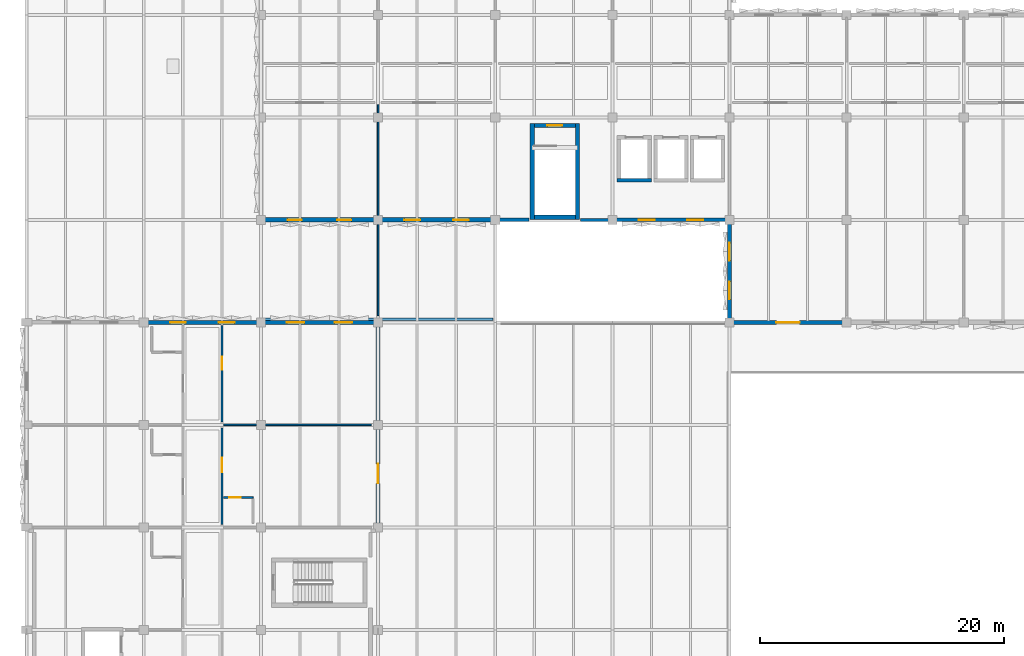
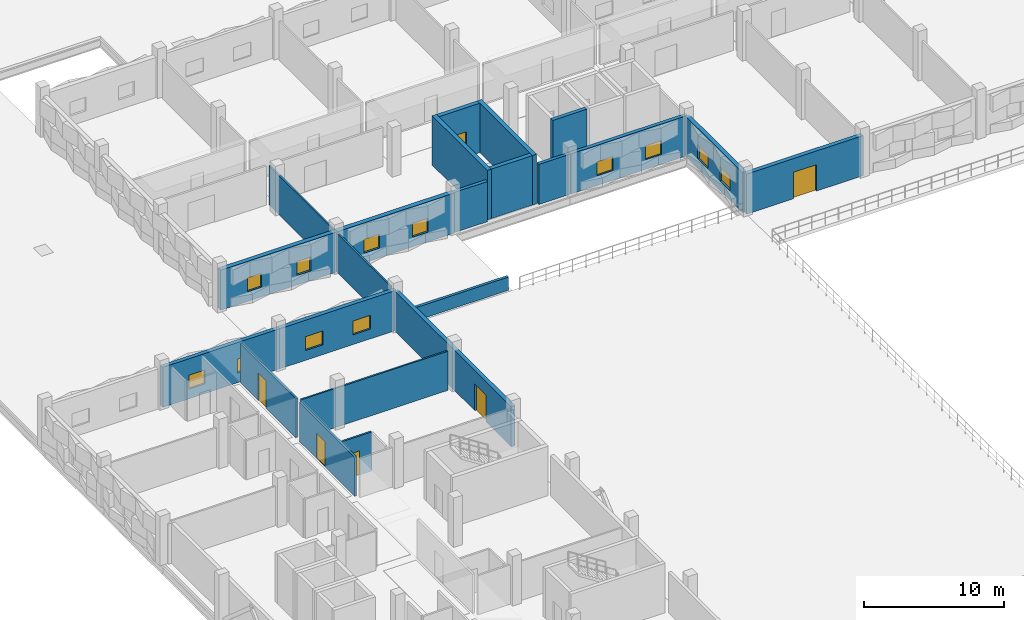
# One storey, part 56 of 86: 21 walls, 12 windows, 6 doors, 18 openings.
"""IFC4 building model written with IfcOpenShell, lengths in metres."""

from ifc_helpers import new_model, si_unit, direction, frame, frame_2d, origin, place, context, subcontext, project, spatial, rectangle, extrude, material, layer, layer_set, type_object, element, fill, save


model = new_model("IFC4")

# Units and contexts
model_context = context("Model", 3, precision=1e-05, world=origin(), true_north=direction((0.0, 1.0)))
body_context = subcontext(model_context, "Body", "Model", "MODEL_VIEW")
ifc_project = project(units=[si_unit("LENGTHUNIT", "METRE"), si_unit("AREAUNIT", "SQUARE_METRE"), si_unit("VOLUMEUNIT", "CUBIC_METRE"), si_unit("PLANEANGLEUNIT", "RADIAN"), si_unit("MASSUNIT", "GRAM", prefix="KILO")], contexts=[model_context])

# Site, building, storey
site_placement = place(None, origin())
site = spatial("IfcSite", under=ifc_project, at=site_placement, CompositionType="ELEMENT")
building_placement = place(site_placement, origin())
building = spatial("IfcBuilding", under=site, at=building_placement, Name="Oolite Switchyard Hospital", CompositionType="ELEMENT")
storey_placement = place(building_placement, frame((0.0, 0.0, 13.5)))
storey = spatial("IfcBuildingStorey", under=building, at=storey_placement, Name="L03", CompositionType="ELEMENT", Elevation=13.5)

# Walls
ifc_material_1 = material(Name="Precast oolitic limestone architectural concrete C40/50", Category="masonry")
ifc_layer_1 = layer(ifc_material_1, 0.260009765625)
ifc_layer_set_1 = layer_set([ifc_layer_1], Name="WAL-EXT-260")
wall_type_1 = type_object("IfcWallType", Name="WAL-EXT-260", PredefinedType="SOLIDWALL", material=ifc_layer_set_1)
wall_1_placement = place(storey_placement, frame((48.0, 92.39990234375, 0.0), z_axis=(0.0, 0.0, 1.0), x_axis=(-1.0, 0.0, 0.0)))
element("IfcWall", 1, at=wall_1_placement, inside=storey, type_object=wall_type_1, Name="L03 Exterior Spandrel Wall 193", PredefinedType="SOLIDWALL", context=body_context, shape_type="SweptSolid", body=[
    extrude(rectangle(XDim=2.614990234375, YDim=0.260009765625, at=frame_2d((1.3076171875, 0.0))), origin(), (0.0, 0.0, 1.0), 3.489990234375),
])
ifc_layer_2 = layer(ifc_material_1, 0.280029296875)
ifc_layer_set_2 = layer_set([ifc_layer_2], Name="WAL-EXT-280")
wall_type_2 = type_object("IfcWallType", Name="WAL-EXT-280", PredefinedType="SOLIDWALL", material=ifc_layer_set_2)
wall_2_placement = place(storey_placement, frame((41.175048828125, 92.39990234375, 0.0), z_axis=(0.0, 0.0, 1.0), x_axis=(-1.0, 0.0, 0.0)))
element("IfcWall", 2, at=wall_2_placement, inside=storey, type_object=wall_type_2, Name="L03 Exterior Spandrel Wall 194", PredefinedType="SOLIDWALL", context=body_context, shape_type="SweptSolid", body=[
    extrude(rectangle(XDim=2.775146484375, YDim=0.280029296875, at=frame_2d((1.3876953125, 0.0))), origin(), (0.0, 0.0, 1.0), 3.489990234375),
])

# Wall, openings, windows
ifc_layer_3 = layer(ifc_material_1, 0.300048828125)
ifc_layer_set_3 = layer_set([ifc_layer_3], Name="WAL-EXT-300")
wall_type_3 = type_object("IfcWallType", Name="WAL-EXT-300", PredefinedType="SOLIDWALL", material=ifc_layer_set_3)
wall_3_placement = place(storey_placement, frame((57.60009765625, 92.39990234375, 0.0), z_axis=(0.0, 0.0, 1.0), x_axis=(-1.0, 0.0, 0.0)))
wall_3 = element("IfcWall", 3, at=wall_3_placement, inside=storey, type_object=wall_type_3, Name="L03 Exterior Spandrel Wall 195", PredefinedType="SOLIDWALL", context=body_context, shape_type="SweptSolid", body=[
    extrude(rectangle(XDim=9.60009765625, YDim=0.300048828125, at=frame_2d((4.800048828125, 0.0))), origin(), (0.0, 0.0, 1.0), 3.489990234375),
])
opening_1_placement = place(wall_3_placement, frame((2.157958984375, 0.0, 0.85009765625)))
opening_1 = element("IfcOpeningElement", 4, at=opening_1_placement, cuts=wall_3, Name="Opening WN-0091", PredefinedType="OPENING", context=body_context, shape_type="SweptSolid", body=[
    extrude(rectangle(XDim=1.300048828125, YDim=1.199951171875, at=frame_2d((0.64990234375, 0.60009765625))), frame((0.0, 0.16015625, 0.0), z_axis=(0.0, -1.0, 0.0), x_axis=(1.0, 0.0, 0.0)), (0.0, 0.0, 1.0), 0.320068359375),
])
opening_2_placement = place(wall_3_placement, frame((6.14208984375, 0.0, 0.85009765625)))
opening_2 = element("IfcOpeningElement", 5, at=opening_2_placement, cuts=wall_3, Name="Opening WN-0092", PredefinedType="OPENING", context=body_context, shape_type="SweptSolid", body=[
    extrude(rectangle(XDim=1.300048828125, YDim=1.199951171875, at=frame_2d((0.64990234375, 0.60009765625))), frame((0.0, 0.16015625, 0.0), z_axis=(0.0, -1.0, 0.0), x_axis=(1.0, 0.0, 0.0)), (0.0, 0.0, 1.0), 0.320068359375),
])
ifc_material_2 = material(Name="Thermally broken aluminum frame with laminated impact glazing", Category="aluminium")
window_type_1 = type_object("IfcWindowType", Name="WIN-IMP-130X120", PartitioningType="SINGLE_PANEL", PredefinedType="WINDOW", material=ifc_material_2)
window_1_placement = place(opening_1_placement, origin())
window_1 = element("IfcWindow", 6, at=window_1_placement, inside=storey, type_object=window_type_1, Name="L03 Hurricane Impact Window WN-0091", OverallHeight=1.199951171875, OverallWidth=1.300048828125, PartitioningType="SINGLE_PANEL", PredefinedType="WINDOW", context=body_context, shape_type="SweptSolid", body=[
    extrude(rectangle(XDim=1.300048828125, YDim=1.199951171875, at=frame_2d((0.64990234375, 0.60009765625))), frame((0.0, 0.030029296875, 0.0), z_axis=(0.0, -1.0, 0.0), x_axis=(1.0, 0.0, 0.0)), (0.0, 0.0, 1.0), 0.06005859375),
])
fill(opening_1, window_1)
window_2_placement = place(opening_2_placement, origin())
window_2 = element("IfcWindow", 7, at=window_2_placement, inside=storey, type_object=window_type_1, Name="L03 Hurricane Impact Window WN-0092", OverallHeight=1.199951171875, OverallWidth=1.300048828125, PartitioningType="SINGLE_PANEL", PredefinedType="WINDOW", context=body_context, shape_type="SweptSolid", body=[
    extrude(rectangle(XDim=1.300048828125, YDim=1.199951171875, at=frame_2d((0.64990234375, 0.60009765625))), frame((0.0, 0.030029296875, 0.0), z_axis=(0.0, -1.0, 0.0), x_axis=(1.0, 0.0, 0.0)), (0.0, 0.0, 1.0), 0.06005859375),
])
fill(opening_2, window_2)

ifc_layer_4 = layer(ifc_material_1, 0.320068359375)
ifc_layer_set_4 = layer_set([ifc_layer_4], Name="WAL-EXT-320")
wall_type_4 = type_object("IfcWallType", Name="WAL-EXT-320", PredefinedType="SOLIDWALL", material=ifc_layer_set_4)
wall_4_placement = place(storey_placement, frame((9.60009765625, 84.0, 0.0), z_axis=(0.0, 0.0, 1.0), x_axis=(1.0, 0.0, 0.0)))
wall_4 = element("IfcWall", 8, at=wall_4_placement, inside=storey, type_object=wall_type_4, Name="L03 Exterior Spandrel Wall 189", PredefinedType="SOLIDWALL", context=body_context, shape_type="SweptSolid", body=[
    extrude(rectangle(XDim=9.599853515625, YDim=0.320068359375, at=frame_2d((4.7998046875, 0.0))), origin(), (0.0, 0.0, 1.0), 3.489990234375),
])
opening_3_placement = place(wall_4_placement, frame((2.157958984375, 0.0, 0.85009765625)))
opening_3 = element("IfcOpeningElement", 9, at=opening_3_placement, cuts=wall_4, Name="Opening WN-0083", PredefinedType="OPENING", context=body_context, shape_type="SweptSolid", body=[
    extrude(rectangle(XDim=1.300048828125, YDim=1.199951171875, at=frame_2d((0.64990234375, 0.60009765625))), frame((0.0, 0.169921875, 0.0), z_axis=(0.0, -1.0, 0.0), x_axis=(1.0, 0.0, 0.0)), (0.0, 0.0, 1.0), 0.340087890625),
])
opening_4_placement = place(wall_4_placement, frame((6.14208984375, 0.0, 0.85009765625)))
opening_4 = element("IfcOpeningElement", 10, at=opening_4_placement, cuts=wall_4, Name="Opening WN-0084", PredefinedType="OPENING", context=body_context, shape_type="SweptSolid", body=[
    extrude(rectangle(XDim=1.300048828125, YDim=1.199951171875, at=frame_2d((0.64990234375, 0.60009765625))), frame((0.0, 0.169921875, 0.0), z_axis=(0.0, -1.0, 0.0), x_axis=(1.0, 0.0, 0.0)), (0.0, 0.0, 1.0), 0.340087890625),
])
window_3_placement = place(opening_3_placement, origin())
window_3 = element("IfcWindow", 11, at=window_3_placement, inside=storey, type_object=window_type_1, Name="L03 Hurricane Impact Window WN-0083", OverallHeight=1.199951171875, OverallWidth=1.300048828125, PartitioningType="SINGLE_PANEL", PredefinedType="WINDOW", context=body_context, shape_type="SweptSolid", body=[
    extrude(rectangle(XDim=1.300048828125, YDim=1.199951171875, at=frame_2d((0.64990234375, 0.60009765625))), frame((0.0, 0.030029296875, 0.0), z_axis=(0.0, -1.0, 0.0), x_axis=(1.0, 0.0, 0.0)), (0.0, 0.0, 1.0), 0.06005859375),
])
fill(opening_3, window_3)
window_4_placement = place(opening_4_placement, origin())
window_4 = element("IfcWindow", 12, at=window_4_placement, inside=storey, type_object=window_type_1, Name="L03 Hurricane Impact Window WN-0084", OverallHeight=1.199951171875, OverallWidth=1.300048828125, PartitioningType="SINGLE_PANEL", PredefinedType="WINDOW", context=body_context, shape_type="SweptSolid", body=[
    extrude(rectangle(XDim=1.300048828125, YDim=1.199951171875, at=frame_2d((0.64990234375, 0.60009765625))), frame((0.0, 0.030029296875, 0.0), z_axis=(0.0, -1.0, 0.0), x_axis=(1.0, 0.0, 0.0)), (0.0, 0.0, 1.0), 0.06005859375),
])
fill(opening_4, window_4)

# Wall, opening, door
wall_5_placement = place(storey_placement, frame((28.800048828125, 83.840087890625, 0.0), z_axis=(0.0, 0.0, 1.0), x_axis=(0.0, -1.0, 0.0)))
wall_5 = element("IfcWall", 13, at=wall_5_placement, inside=storey, type_object=wall_type_4, Name="L03 Exterior Spandrel Wall 231", PredefinedType="SOLIDWALL", context=body_context, shape_type="SweptSolid", body=[
    extrude(rectangle(XDim=16.64013671875, YDim=0.320068359375, at=frame_2d((8.320068359375, 0.0))), origin(), (0.0, 0.0, 1.0), 3.489990234375),
])
opening_5_placement = place(wall_5_placement, frame((11.43994140625, 0.0, 0.0)))
opening_5 = element("IfcOpeningElement", 14, at=opening_5_placement, cuts=wall_5, Name="Opening EX-22", PredefinedType="OPENING", context=body_context, shape_type="SweptSolid", body=[
    extrude(rectangle(XDim=1.60009765625, YDim=2.300048828125, at=frame_2d((0.800048828125, 1.14990234375))), frame((0.0, 0.169921875, 0.0), z_axis=(0.0, -1.0, 0.0), x_axis=(1.0, 0.0, 0.0)), (0.0, 0.0, 1.0), 0.340087890625),
])
door_type_1 = type_object("IfcDoorType", Name="DR-TER-160X230", OperationType="NOTDEFINED", PredefinedType="DOOR", material=ifc_material_2)
door_1_placement = place(opening_5_placement, origin())
door_1 = element("IfcDoor", 15, at=door_1_placement, inside=storey, type_object=door_type_1, Name="L03 Exterior EX EX-22", OperationType="SINGLE_SWING_LEFT", OverallHeight=2.300048828125, OverallWidth=1.60009765625, PredefinedType="DOOR", context=body_context, shape_type="SweptSolid", body=[
    extrude(rectangle(XDim=1.60009765625, YDim=2.300048828125, at=frame_2d((0.800048828125, 1.14990234375))), frame((0.0, 0.02490234375, 0.0), z_axis=(0.0, -1.0, 0.0), x_axis=(1.0, 0.0, 0.0)), (0.0, 0.0, 1.0), 0.050048828125),
])
fill(opening_5, door_1)

ifc_layer_5 = layer(ifc_material_1, 0.340087890625)
ifc_layer_set_5 = layer_set([ifc_layer_5], Name="WAL-EXT-340")
wall_type_5 = type_object("IfcWallType", Name="WAL-EXT-340", PredefinedType="SOLIDWALL", material=ifc_layer_set_5)
wall_6_placement = place(storey_placement, frame((67.199951171875, 84.0, 0.0), z_axis=(0.0, 0.0, 1.0), x_axis=(-1.0, 0.0, 0.0)))
wall_6 = element("IfcWall", 16, at=wall_6_placement, inside=storey, type_object=wall_type_5, Name="L03 Exterior Spandrel Wall 183", PredefinedType="SOLIDWALL", context=body_context, shape_type="SweptSolid", body=[
    extrude(rectangle(XDim=9.599853515625, YDim=0.340087890625, at=frame_2d((4.7998046875, 0.0))), origin(), (0.0, 0.0, 1.0), 3.489990234375),
])
opening_6_placement = place(wall_6_placement, frame((3.85009765625, 0.0, 0.0)))
opening_6 = element("IfcOpeningElement", 17, at=opening_6_placement, cuts=wall_6, Name="Opening EX-20", PredefinedType="OPENING", context=body_context, shape_type="SweptSolid", body=[
    extrude(rectangle(XDim=1.89990234375, YDim=2.300048828125, at=frame_2d((0.949951171875, 1.14990234375))), frame((0.0, 0.18017578125, 0.0), z_axis=(0.0, -1.0, 0.0), x_axis=(1.0, 0.0, 0.0)), (0.0, 0.0, 1.0), 0.360107421875),
])
door_type_2 = type_object("IfcDoorType", Name="DR-TER-190X230", OperationType="NOTDEFINED", PredefinedType="DOOR", material=ifc_material_2)
door_2_placement = place(opening_6_placement, origin())
door_2 = element("IfcDoor", 18, at=door_2_placement, inside=storey, type_object=door_type_2, Name="L03 Exterior EX EX-20", OperationType="DOUBLE_DOOR_SINGLE_SWING", OverallHeight=2.300048828125, OverallWidth=1.89990234375, PredefinedType="DOOR", context=body_context, shape_type="SweptSolid", body=[
    extrude(rectangle(XDim=1.89990234375, YDim=2.300048828125, at=frame_2d((0.949951171875, 1.14990234375))), frame((0.0, 0.02490234375, 0.0), z_axis=(0.0, -1.0, 0.0), x_axis=(1.0, 0.0, 0.0)), (0.0, 0.0, 1.0), 0.050048828125),
])
fill(opening_6, door_2)

# Wall, openings, windows
wall_7_placement = place(storey_placement, frame((19.199951171875, 84.0, 0.0), z_axis=(0.0, 0.0, 1.0), x_axis=(1.0, 0.0, 0.0)))
wall_7 = element("IfcWall", 19, at=wall_7_placement, inside=storey, type_object=wall_type_5, Name="L03 Exterior Spandrel Wall 190", PredefinedType="SOLIDWALL", context=body_context, shape_type="SweptSolid", body=[
    extrude(rectangle(XDim=9.60009765625, YDim=0.340087890625, at=frame_2d((4.800048828125, 0.0))), origin(), (0.0, 0.0, 1.0), 3.489990234375),
])
opening_7_placement = place(wall_7_placement, frame((2.118896484375, 0.0, 0.85009765625)))
opening_7 = element("IfcOpeningElement", 20, at=opening_7_placement, cuts=wall_7, Name="Opening WN-0085", PredefinedType="OPENING", context=body_context, shape_type="SweptSolid", body=[
    extrude(rectangle(XDim=1.449951171875, YDim=1.199951171875, at=frame_2d((0.72509765625, 0.60009765625))), frame((0.0, 0.18017578125, 0.0), z_axis=(0.0, -1.0, 0.0), x_axis=(1.0, 0.0, 0.0)), (0.0, 0.0, 1.0), 0.360107421875),
])
opening_8_placement = place(wall_7_placement, frame((6.031005859375, 0.0, 0.85009765625)))
opening_8 = element("IfcOpeningElement", 21, at=opening_8_placement, cuts=wall_7, Name="Opening WN-0086", PredefinedType="OPENING", context=body_context, shape_type="SweptSolid", body=[
    extrude(rectangle(XDim=1.449951171875, YDim=1.199951171875, at=frame_2d((0.72509765625, 0.60009765625))), frame((0.0, 0.18017578125, 0.0), z_axis=(0.0, -1.0, 0.0), x_axis=(1.0, 0.0, 0.0)), (0.0, 0.0, 1.0), 0.360107421875),
])
window_type_2 = type_object("IfcWindowType", Name="WIN-IMP-145X120", PartitioningType="SINGLE_PANEL", PredefinedType="WINDOW", material=ifc_material_2)
window_5_placement = place(opening_7_placement, origin())
window_5 = element("IfcWindow", 22, at=window_5_placement, inside=storey, type_object=window_type_2, Name="L03 Hurricane Impact Window WN-0085", OverallHeight=1.199951171875, OverallWidth=1.449951171875, PartitioningType="SINGLE_PANEL", PredefinedType="WINDOW", context=body_context, shape_type="SweptSolid", body=[
    extrude(rectangle(XDim=1.449951171875, YDim=1.199951171875, at=frame_2d((0.72509765625, 0.60009765625))), frame((0.0, 0.030029296875, 0.0), z_axis=(0.0, -1.0, 0.0), x_axis=(1.0, 0.0, 0.0)), (0.0, 0.0, 1.0), 0.06005859375),
])
fill(opening_7, window_5)
window_6_placement = place(opening_8_placement, origin())
window_6 = element("IfcWindow", 23, at=window_6_placement, inside=storey, type_object=window_type_2, Name="L03 Hurricane Impact Window WN-0086", OverallHeight=1.199951171875, OverallWidth=1.449951171875, PartitioningType="SINGLE_PANEL", PredefinedType="WINDOW", context=body_context, shape_type="SweptSolid", body=[
    extrude(rectangle(XDim=1.449951171875, YDim=1.199951171875, at=frame_2d((0.72509765625, 0.60009765625))), frame((0.0, 0.030029296875, 0.0), z_axis=(0.0, -1.0, 0.0), x_axis=(1.0, 0.0, 0.0)), (0.0, 0.0, 1.0), 0.06005859375),
])
fill(opening_8, window_6)

wall_8_placement = place(storey_placement, frame((57.60009765625, 84.159912109375, 0.0), z_axis=(0.0, 0.0, 1.0), x_axis=(0.0, 1.0, 0.0)))
wall_8 = element("IfcWall", 24, at=wall_8_placement, inside=storey, type_object=wall_type_5, Name="L03 Exterior Spandrel Wall 232", PredefinedType="SOLIDWALL", context=body_context, shape_type="SweptSolid", body=[
    extrude(rectangle(XDim=8.080078125, YDim=0.340087890625, at=frame_2d((4.0400390625, 0.0))), origin(), (0.0, 0.0, 1.0), 3.489990234375),
])
opening_9_placement = place(wall_8_placement, frame((1.72412109375, 0.0, 0.85009765625)))
opening_9 = element("IfcOpeningElement", 25, at=opening_9_placement, cuts=wall_8, Name="Opening WN-0133", PredefinedType="OPENING", context=body_context, shape_type="SweptSolid", body=[
    extrude(rectangle(XDim=1.449951171875, YDim=1.199951171875, at=frame_2d((0.72509765625, 0.60009765625))), frame((0.0, 0.18017578125, 0.0), z_axis=(0.0, -1.0, 0.0), x_axis=(1.0, 0.0, 0.0)), (0.0, 0.0, 1.0), 0.360107421875),
])
opening_10_placement = place(wall_8_placement, frame((4.906005859375, 0.0, 0.85009765625)))
opening_10 = element("IfcOpeningElement", 26, at=opening_10_placement, cuts=wall_8, Name="Opening WN-0134", PredefinedType="OPENING", context=body_context, shape_type="SweptSolid", body=[
    extrude(rectangle(XDim=1.449951171875, YDim=1.199951171875, at=frame_2d((0.72509765625, 0.60009765625))), frame((0.0, 0.18017578125, 0.0), z_axis=(0.0, -1.0, 0.0), x_axis=(1.0, 0.0, 0.0)), (0.0, 0.0, 1.0), 0.360107421875),
])
window_7_placement = place(opening_9_placement, origin())
window_7 = element("IfcWindow", 27, at=window_7_placement, inside=storey, type_object=window_type_2, Name="L03 Hurricane Impact Window WN-0133", OverallHeight=1.199951171875, OverallWidth=1.449951171875, PartitioningType="SINGLE_PANEL", PredefinedType="WINDOW", context=body_context, shape_type="SweptSolid", body=[
    extrude(rectangle(XDim=1.449951171875, YDim=1.199951171875, at=frame_2d((0.72509765625, 0.60009765625))), frame((0.0, 0.030029296875, 0.0), z_axis=(0.0, -1.0, 0.0), x_axis=(1.0, 0.0, 0.0)), (0.0, 0.0, 1.0), 0.06005859375),
])
fill(opening_9, window_7)
window_8_placement = place(opening_10_placement, origin())
window_8 = element("IfcWindow", 28, at=window_8_placement, inside=storey, type_object=window_type_2, Name="L03 Hurricane Impact Window WN-0134", OverallHeight=1.199951171875, OverallWidth=1.449951171875, PartitioningType="SINGLE_PANEL", PredefinedType="WINDOW", context=body_context, shape_type="SweptSolid", body=[
    extrude(rectangle(XDim=1.449951171875, YDim=1.199951171875, at=frame_2d((0.72509765625, 0.60009765625))), frame((0.0, 0.030029296875, 0.0), z_axis=(0.0, -1.0, 0.0), x_axis=(1.0, 0.0, 0.0)), (0.0, 0.0, 1.0), 0.06005859375),
])
fill(opening_10, window_8)

ifc_layer_6 = layer(ifc_material_1, 0.360107421875)
ifc_layer_set_6 = layer_set([ifc_layer_6], Name="WAL-EXT-360")
wall_type_6 = type_object("IfcWallType", Name="WAL-EXT-360", PredefinedType="SOLIDWALL", material=ifc_layer_set_6)
wall_9_placement = place(storey_placement, frame((28.800048828125, 92.39990234375, 0.0), z_axis=(0.0, 0.0, 1.0), x_axis=(-1.0, 0.0, 0.0)))
wall_9 = element("IfcWall", 29, at=wall_9_placement, inside=storey, type_object=wall_type_6, Name="L03 Exterior Spandrel Wall 191", PredefinedType="SOLIDWALL", context=body_context, shape_type="SweptSolid", body=[
    extrude(rectangle(XDim=9.60009765625, YDim=0.360107421875, at=frame_2d((4.800048828125, 0.0))), origin(), (0.0, 0.0, 1.0), 3.489990234375),
])
opening_11_placement = place(wall_9_placement, frame((2.197021484375, 0.0, 0.85009765625)))
opening_11 = element("IfcOpeningElement", 30, at=opening_11_placement, cuts=wall_9, Name="Opening WN-0087", PredefinedType="OPENING", context=body_context, shape_type="SweptSolid", body=[
    extrude(rectangle(XDim=1.14990234375, YDim=1.199951171875, at=frame_2d((0.574951171875, 0.60009765625))), frame((0.0, 0.18994140625, 0.0), z_axis=(0.0, -1.0, 0.0), x_axis=(1.0, 0.0, 0.0)), (0.0, 0.0, 1.0), 0.380126953125),
])
opening_12_placement = place(wall_9_placement, frame((6.2529296875, 0.0, 0.85009765625)))
opening_12 = element("IfcOpeningElement", 31, at=opening_12_placement, cuts=wall_9, Name="Opening WN-0088", PredefinedType="OPENING", context=body_context, shape_type="SweptSolid", body=[
    extrude(rectangle(XDim=1.14990234375, YDim=1.199951171875, at=frame_2d((0.574951171875, 0.60009765625))), frame((0.0, 0.18994140625, 0.0), z_axis=(0.0, -1.0, 0.0), x_axis=(1.0, 0.0, 0.0)), (0.0, 0.0, 1.0), 0.380126953125),
])
window_type_3 = type_object("IfcWindowType", Name="WIN-IMP-115X120", PartitioningType="SINGLE_PANEL", PredefinedType="WINDOW", material=ifc_material_2)
window_9_placement = place(opening_11_placement, origin())
window_9 = element("IfcWindow", 32, at=window_9_placement, inside=storey, type_object=window_type_3, Name="L03 Hurricane Impact Window WN-0087", OverallHeight=1.199951171875, OverallWidth=1.14990234375, PartitioningType="SINGLE_PANEL", PredefinedType="WINDOW", context=body_context, shape_type="SweptSolid", body=[
    extrude(rectangle(XDim=1.14990234375, YDim=1.199951171875, at=frame_2d((0.574951171875, 0.60009765625))), frame((0.0, 0.030029296875, 0.0), z_axis=(0.0, -1.0, 0.0), x_axis=(1.0, 0.0, 0.0)), (0.0, 0.0, 1.0), 0.06005859375),
])
fill(opening_11, window_9)
window_10_placement = place(opening_12_placement, origin())
window_10 = element("IfcWindow", 33, at=window_10_placement, inside=storey, type_object=window_type_3, Name="L03 Hurricane Impact Window WN-0088", OverallHeight=1.199951171875, OverallWidth=1.14990234375, PartitioningType="SINGLE_PANEL", PredefinedType="WINDOW", context=body_context, shape_type="SweptSolid", body=[
    extrude(rectangle(XDim=1.14990234375, YDim=1.199951171875, at=frame_2d((0.574951171875, 0.60009765625))), frame((0.0, 0.030029296875, 0.0), z_axis=(0.0, -1.0, 0.0), x_axis=(1.0, 0.0, 0.0)), (0.0, 0.0, 1.0), 0.06005859375),
])
fill(opening_12, window_10)

ifc_layer_7 = layer(ifc_material_1, 0.3798828125)
ifc_layer_set_7 = layer_set([ifc_layer_7], Name="WAL-EXT-380")
wall_type_7 = type_object("IfcWallType", Name="WAL-EXT-380", PredefinedType="SOLIDWALL", material=ifc_layer_set_7)
wall_10_placement = place(storey_placement, frame((38.39990234375, 92.39990234375, 0.0), z_axis=(0.0, 0.0, 1.0), x_axis=(-1.0, 0.0, 0.0)))
wall_10 = element("IfcWall", 34, at=wall_10_placement, inside=storey, type_object=wall_type_7, Name="L03 Exterior Spandrel Wall 192", PredefinedType="SOLIDWALL", context=body_context, shape_type="SweptSolid", body=[
    extrude(rectangle(XDim=9.599853515625, YDim=0.3798828125, at=frame_2d((4.7998046875, 0.0))), origin(), (0.0, 0.0, 1.0), 3.489990234375),
])
opening_13_placement = place(wall_10_placement, frame((2.157958984375, 0.0, 0.85009765625)))
opening_13 = element("IfcOpeningElement", 35, at=opening_13_placement, cuts=wall_10, Name="Opening WN-0089", PredefinedType="OPENING", context=body_context, shape_type="SweptSolid", body=[
    extrude(rectangle(XDim=1.300048828125, YDim=1.199951171875, at=frame_2d((0.64990234375, 0.60009765625))), frame((0.0, 0.199951171875, 0.0), z_axis=(0.0, -1.0, 0.0), x_axis=(1.0, 0.0, 0.0)), (0.0, 0.0, 1.0), 0.39990234375),
])
opening_14_placement = place(wall_10_placement, frame((6.14208984375, 0.0, 0.85009765625)))
opening_14 = element("IfcOpeningElement", 36, at=opening_14_placement, cuts=wall_10, Name="Opening WN-0090", PredefinedType="OPENING", context=body_context, shape_type="SweptSolid", body=[
    extrude(rectangle(XDim=1.300048828125, YDim=1.199951171875, at=frame_2d((0.64990234375, 0.60009765625))), frame((0.0, 0.199951171875, 0.0), z_axis=(0.0, -1.0, 0.0), x_axis=(1.0, 0.0, 0.0)), (0.0, 0.0, 1.0), 0.39990234375),
])
window_11_placement = place(opening_13_placement, origin())
window_11 = element("IfcWindow", 37, at=window_11_placement, inside=storey, type_object=window_type_1, Name="L03 Hurricane Impact Window WN-0089", OverallHeight=1.199951171875, OverallWidth=1.300048828125, PartitioningType="SINGLE_PANEL", PredefinedType="WINDOW", context=body_context, shape_type="SweptSolid", body=[
    extrude(rectangle(XDim=1.300048828125, YDim=1.199951171875, at=frame_2d((0.64990234375, 0.60009765625))), frame((0.0, 0.030029296875, 0.0), z_axis=(0.0, -1.0, 0.0), x_axis=(1.0, 0.0, 0.0)), (0.0, 0.0, 1.0), 0.06005859375),
])
fill(opening_13, window_11)
window_12_placement = place(opening_14_placement, origin())
window_12 = element("IfcWindow", 38, at=window_12_placement, inside=storey, type_object=window_type_1, Name="L03 Hurricane Impact Window WN-0090", OverallHeight=1.199951171875, OverallWidth=1.300048828125, PartitioningType="SINGLE_PANEL", PredefinedType="WINDOW", context=body_context, shape_type="SweptSolid", body=[
    extrude(rectangle(XDim=1.300048828125, YDim=1.199951171875, at=frame_2d((0.64990234375, 0.60009765625))), frame((0.0, 0.030029296875, 0.0), z_axis=(0.0, -1.0, 0.0), x_axis=(1.0, 0.0, 0.0)), (0.0, 0.0, 1.0), 0.06005859375),
])
fill(opening_14, window_12)

# Walls
ifc_layer_8 = layer(ifc_material_1, 0.219970703125)
ifc_layer_set_8 = layer_set([ifc_layer_8], Name="WAL-PAR-220")
wall_type_8 = type_object("IfcWallType", Name="WAL-PAR-220", PredefinedType="PARAPET", material=ifc_layer_set_8)
wall_11_placement = place(storey_placement, frame((19.39990234375, 84.25, 0.0), z_axis=(0.0, 0.0, 1.0), x_axis=(1.0, 0.0, 0.0)))
element("IfcWall", 39, at=wall_11_placement, inside=storey, type_object=wall_type_8, Name="L03 Roof Parapet Wall 4", PredefinedType="PARAPET", context=body_context, shape_type="SweptSolid", body=[
    extrude(rectangle(XDim=18.800048828125, YDim=0.219970703125, at=frame_2d((9.39990234375, 0.0))), origin(), (0.0, 0.0, 1.0), 1.14990234375),
])
ifc_material_3 = material(Name="Moisture-resistant gypsum board on steel studs", Category="steel")
ifc_layer_9 = layer(ifc_material_3, 0.135009765625)
ifc_layer_set_9 = layer_set([ifc_layer_9], Name="WAL-PART-135")
wall_type_9 = type_object("IfcWallType", Name="WAL-PART-135", PredefinedType="PARTITIONING", material=ifc_layer_set_9)
wall_12_placement = place(storey_placement, frame((28.800048828125, 84.550048828125, 0.0), z_axis=(0.0, 0.0, 1.0), x_axis=(0.0, 1.0, 0.0)))
element("IfcWall", 40, at=wall_12_placement, inside=storey, type_object=wall_type_9, Name="L03 Interior Partition 607", PredefinedType="PARTITIONING", context=body_context, shape_type="SweptSolid", body=[
    extrude(rectangle(XDim=17.300048828125, YDim=0.135009765625, at=frame_2d((8.64990234375, 0.0))), origin(), (0.0, 0.0, 1.0), 3.39990234375),
])
wall_13_placement = place(storey_placement, frame((16.14990234375, 75.60009765625, 0.0), z_axis=(0.0, 0.0, 1.0), x_axis=(1.0, 0.0, 0.0)))
element("IfcWall", 41, at=wall_13_placement, inside=storey, type_object=wall_type_9, Name="L03 Interior Partition 663", PredefinedType="PARTITIONING", context=body_context, shape_type="SweptSolid", body=[
    extrude(rectangle(XDim=12.10009765625, YDim=0.135009765625, at=frame_2d((6.050048828125, 0.0))), origin(), (0.0, 0.0, 1.0), 3.39990234375),
])

# Wall, opening, door
ifc_layer_10 = layer(ifc_material_3, 0.14990234375)
ifc_layer_set_10 = layer_set([ifc_layer_10], Name="WAL-PART-150")
wall_type_10 = type_object("IfcWallType", Name="WAL-PART-150", PredefinedType="PARTITIONING", material=ifc_layer_set_10)
wall_14_placement = place(storey_placement, frame((16.14990234375, 69.64990234375, 0.0), z_axis=(0.0, 0.0, 1.0), x_axis=(1.0, 0.0, 0.0)))
wall_14 = element("IfcWall", 42, at=wall_14_placement, inside=storey, type_object=wall_type_10, Name="L03 Interior Partition 655", PredefinedType="PARTITIONING", context=body_context, shape_type="SweptSolid", body=[
    extrude(rectangle(XDim=2.400146484375, YDim=0.14990234375, at=frame_2d((1.2001953125, 0.0))), origin(), (0.0, 0.0, 1.0), 3.39990234375),
])
opening_15_placement = place(wall_14_placement, frame((0.449951171875, 0.0, 0.0)))
opening_15 = element("IfcOpeningElement", 43, at=opening_15_placement, cuts=wall_14, Name="Opening D-0367", PredefinedType="OPENING", context=body_context, shape_type="SweptSolid", body=[
    extrude(rectangle(XDim=0.949951171875, YDim=2.10009765625, at=frame_2d((0.47509765625, 1.050048828125))), frame((0.0, 0.0849609375, 0.0), z_axis=(0.0, -1.0, 0.0), x_axis=(1.0, 0.0, 0.0)), (0.0, 0.0, 1.0), 0.169921875),
])
ifc_material_4 = material(Name="Solid-core antimicrobial hardwood leaf in steel frame", Category="steel")
door_type_3 = type_object("IfcDoorType", Name="DR-BATH-095X210", OperationType="NOTDEFINED", PredefinedType="DOOR", material=ifc_material_4)
door_3_placement = place(opening_15_placement, origin())
door_3 = element("IfcDoor", 44, at=door_3_placement, inside=storey, type_object=door_type_3, Name="L03 Interior Door D-0367", OperationType="SINGLE_SWING_LEFT", OverallHeight=2.10009765625, OverallWidth=0.949951171875, PredefinedType="DOOR", context=body_context, shape_type="SweptSolid", body=[
    extrude(rectangle(XDim=0.949951171875, YDim=2.10009765625, at=frame_2d((0.47509765625, 1.050048828125))), frame((0.0, 0.02490234375, 0.0), z_axis=(0.0, -1.0, 0.0), x_axis=(1.0, 0.0, 0.0)), (0.0, 0.0, 1.0), 0.050048828125),
])
fill(opening_15, door_3)

ifc_layer_11 = layer(ifc_material_3, 0.1650390625)
ifc_layer_set_11 = layer_set([ifc_layer_11], Name="WAL-PART-165")
wall_type_11 = type_object("IfcWallType", Name="WAL-PART-165", PredefinedType="PARTITIONING", material=ifc_layer_set_11)
wall_15_placement = place(storey_placement, frame((16.0, 67.449951171875, 0.0), z_axis=(0.0, 0.0, 1.0), x_axis=(0.0, 1.0, 0.0)))
wall_15 = element("IfcWall", 45, at=wall_15_placement, inside=storey, type_object=wall_type_11, Name="L03 Interior Partition 654", PredefinedType="PARTITIONING", context=body_context, shape_type="SweptSolid", body=[
    extrude(rectangle(XDim=7.900146484375, YDim=0.1650390625, at=frame_2d((3.9501953125, 0.0))), origin(), (0.0, 0.0, 1.0), 3.39990234375),
])
opening_16_placement = place(wall_15_placement, frame((4.25, 0.0, 0.0)))
opening_16 = element("IfcOpeningElement", 46, at=opening_16_placement, cuts=wall_15, Name="Opening D-0366", PredefinedType="OPENING", context=body_context, shape_type="SweptSolid", body=[
    extrude(rectangle(XDim=1.199951171875, YDim=2.199951171875, at=frame_2d((0.60009765625, 1.10009765625))), frame((0.0, 0.092529296875, 0.0), z_axis=(0.0, -1.0, 0.0), x_axis=(1.0, 0.0, 0.0)), (0.0, 0.0, 1.0), 0.18505859375),
])
door_type_4 = type_object("IfcDoorType", Name="DR-WARD-120X220", OperationType="NOTDEFINED", PredefinedType="DOOR", material=ifc_material_4)
door_4_placement = place(opening_16_placement, origin())
door_4 = element("IfcDoor", 47, at=door_4_placement, inside=storey, type_object=door_type_4, Name="L03 Interior Door D-0366", OperationType="SINGLE_SWING_RIGHT", OverallHeight=2.199951171875, OverallWidth=1.199951171875, PredefinedType="DOOR", context=body_context, shape_type="SweptSolid", body=[
    extrude(rectangle(XDim=1.199951171875, YDim=2.199951171875, at=frame_2d((0.60009765625, 1.10009765625))), frame((0.0, 0.02490234375, 0.0), z_axis=(0.0, -1.0, 0.0), x_axis=(1.0, 0.0, 0.0)), (0.0, 0.0, 1.0), 0.050048828125),
])
fill(opening_16, door_4)

wall_16_placement = place(storey_placement, frame((16.0, 75.85009765625, 0.0), z_axis=(0.0, 0.0, 1.0), x_axis=(0.0, 1.0, 0.0)))
wall_16 = element("IfcWall", 48, at=wall_16_placement, inside=storey, type_object=wall_type_11, Name="L03 Interior Partition 662", PredefinedType="PARTITIONING", context=body_context, shape_type="SweptSolid", body=[
    extrude(rectangle(XDim=7.89990234375, YDim=0.1650390625, at=frame_2d((3.949951171875, 0.0))), origin(), (0.0, 0.0, 1.0), 3.39990234375),
])
opening_17_placement = place(wall_16_placement, frame((4.25, 0.0, 0.0)))
opening_17 = element("IfcOpeningElement", 49, at=opening_17_placement, cuts=wall_16, Name="Opening D-0370", PredefinedType="OPENING", context=body_context, shape_type="SweptSolid", body=[
    extrude(rectangle(XDim=1.10009765625, YDim=2.39990234375, at=frame_2d((0.550048828125, 1.199951171875))), frame((0.0, 0.092529296875, 0.0), z_axis=(0.0, -1.0, 0.0), x_axis=(1.0, 0.0, 0.0)), (0.0, 0.0, 1.0), 0.18505859375),
])
ifc_material_5 = material(Name="Hollow metal fire-rated steel door assembly", Category="steel")
door_type_5 = type_object("IfcDoorType", Name="DR-LAB-110X240", OperationType="NOTDEFINED", PredefinedType="DOOR", material=ifc_material_5)
door_5_placement = place(opening_17_placement, origin())
door_5 = element("IfcDoor", 50, at=door_5_placement, inside=storey, type_object=door_type_5, Name="L03 Interior Door D-0370", OperationType="SINGLE_SWING_LEFT", OverallHeight=2.39990234375, OverallWidth=1.10009765625, PredefinedType="DOOR", context=body_context, shape_type="SweptSolid", body=[
    extrude(rectangle(XDim=1.10009765625, YDim=2.39990234375, at=frame_2d((0.550048828125, 1.199951171875))), frame((0.0, 0.02490234375, 0.0), z_axis=(0.0, -1.0, 0.0), x_axis=(1.0, 0.0, 0.0)), (0.0, 0.0, 1.0), 0.050048828125),
])
fill(opening_17, door_5)

# Walls
ifc_material_6 = material(Name="Concrete C50/60", Category="concrete")
ifc_layer_12 = layer(ifc_material_6, 0.300048828125)
ifc_layer_set_12 = layer_set([ifc_layer_12], Name="WAL-SHR-300")
wall_type_12 = type_object("IfcWallType", Name="WAL-SHR-300", PredefinedType="SHEAR", material=ifc_layer_set_12)
wall_17_placement = place(storey_placement, frame((48.39990234375, 95.64990234375, 0.0), z_axis=(0.0, 0.0, 1.0), x_axis=(1.0, 0.0, 0.0)))
element("IfcWall", 51, at=wall_17_placement, inside=storey, type_object=wall_type_12, Name="L03 Lift Shaft Shear Wall EL-08", PredefinedType="SHEAR", context=body_context, shape_type="SweptSolid", body=[
    extrude(rectangle(XDim=2.800048828125, YDim=0.300048828125, at=frame_2d((1.39990234375, 0.0))), origin(), (0.0, 0.0, 1.0), 4.300048828125),
])
ifc_layer_13 = layer(ifc_material_6, 0.35009765625)
ifc_layer_set_13 = layer_set([ifc_layer_13], Name="WAL-SHR-350")
wall_type_13 = type_object("IfcWallType", Name="WAL-SHR-350", PredefinedType="SHEAR", material=ifc_layer_set_13)
wall_18_placement = place(storey_placement, frame((41.425048828125, 100.300048828125, 0.0), z_axis=(0.0, 0.0, 1.0), x_axis=(0.0, -1.0, 0.0)))
element("IfcWall", 52, at=wall_18_placement, inside=storey, type_object=wall_type_13, Name="L03 Core Shear Wall ST-07", PredefinedType="SHEAR", context=body_context, shape_type="SweptSolid", body=[
    extrude(rectangle(XDim=7.85009765625, YDim=0.35009765625, at=frame_2d((3.925048828125, 0.0))), origin(), (0.0, 0.0, 1.0), 4.300048828125),
])
wall_19_placement = place(storey_placement, frame((41.60009765625, 92.625, 0.0), z_axis=(0.0, 0.0, 1.0), x_axis=(1.0, 0.0, 0.0)))
element("IfcWall", 53, at=wall_19_placement, inside=storey, type_object=wall_type_13, Name="L03 Core Shear Wall ST-07", PredefinedType="SHEAR", context=body_context, shape_type="SweptSolid", body=[
    extrude(rectangle(XDim=3.35986328125, YDim=0.35009765625, at=frame_2d((1.679931640625, 0.0))), origin(), (0.0, 0.0, 1.0), 4.300048828125),
])
wall_20_placement = place(storey_placement, frame((45.135009765625, 92.449951171875, 0.0), z_axis=(0.0, 0.0, 1.0), x_axis=(0.0, 1.0, 0.0)))
element("IfcWall", 54, at=wall_20_placement, inside=storey, type_object=wall_type_13, Name="L03 Core Shear Wall ST-07", PredefinedType="SHEAR", context=body_context, shape_type="SweptSolid", body=[
    extrude(rectangle(XDim=7.85009765625, YDim=0.35009765625, at=frame_2d((3.925048828125, 0.0))), origin(), (0.0, 0.0, 1.0), 4.300048828125),
])

# Wall, opening, door
wall_21_placement = place(storey_placement, frame((44.9599609375, 100.125, 0.0), z_axis=(0.0, 0.0, 1.0), x_axis=(-1.0, 0.0, 0.0)))
wall_21 = element("IfcWall", 55, at=wall_21_placement, inside=storey, type_object=wall_type_13, Name="L03 Core Shear Wall ST-07", PredefinedType="SHEAR", context=body_context, shape_type="SweptSolid", body=[
    extrude(rectangle(XDim=3.35986328125, YDim=0.35009765625, at=frame_2d((1.679931640625, 0.0))), origin(), (0.0, 0.0, 1.0), 4.300048828125),
])
opening_18_placement = place(wall_21_placement, frame((1.080078125, 0.0, 0.0)))
opening_18 = element("IfcOpeningElement", 56, at=opening_18_placement, cuts=wall_21, Name="Opening SD-046", PredefinedType="OPENING", context=body_context, shape_type="SweptSolid", body=[
    extrude(rectangle(XDim=1.199951171875, YDim=2.199951171875, at=frame_2d((0.60009765625, 1.10009765625))), frame((0.0, 0.18505859375, 0.0), z_axis=(0.0, -1.0, 0.0), x_axis=(1.0, 0.0, 0.0)), (0.0, 0.0, 1.0), 0.3701171875),
])
door_type_6 = type_object("IfcDoorType", Name="DR-STR-120X220", OperationType="NOTDEFINED", PredefinedType="DOOR", material=ifc_material_5)
door_6_placement = place(opening_18_placement, origin())
door_6 = element("IfcDoor", 57, at=door_6_placement, inside=storey, type_object=door_type_6, Name="L03 ST-07 Exit Stair Door SD-046", OperationType="SINGLE_SWING_RIGHT", OverallHeight=2.199951171875, OverallWidth=1.199951171875, PredefinedType="DOOR", context=body_context, shape_type="SweptSolid", body=[
    extrude(rectangle(XDim=1.199951171875, YDim=2.199951171875, at=frame_2d((0.60009765625, 1.10009765625))), frame((0.0, 0.02490234375, 0.0), z_axis=(0.0, -1.0, 0.0), x_axis=(1.0, 0.0, 0.0)), (0.0, 0.0, 1.0), 0.050048828125),
])
fill(opening_18, door_6)

save(model, "model.ifc")
